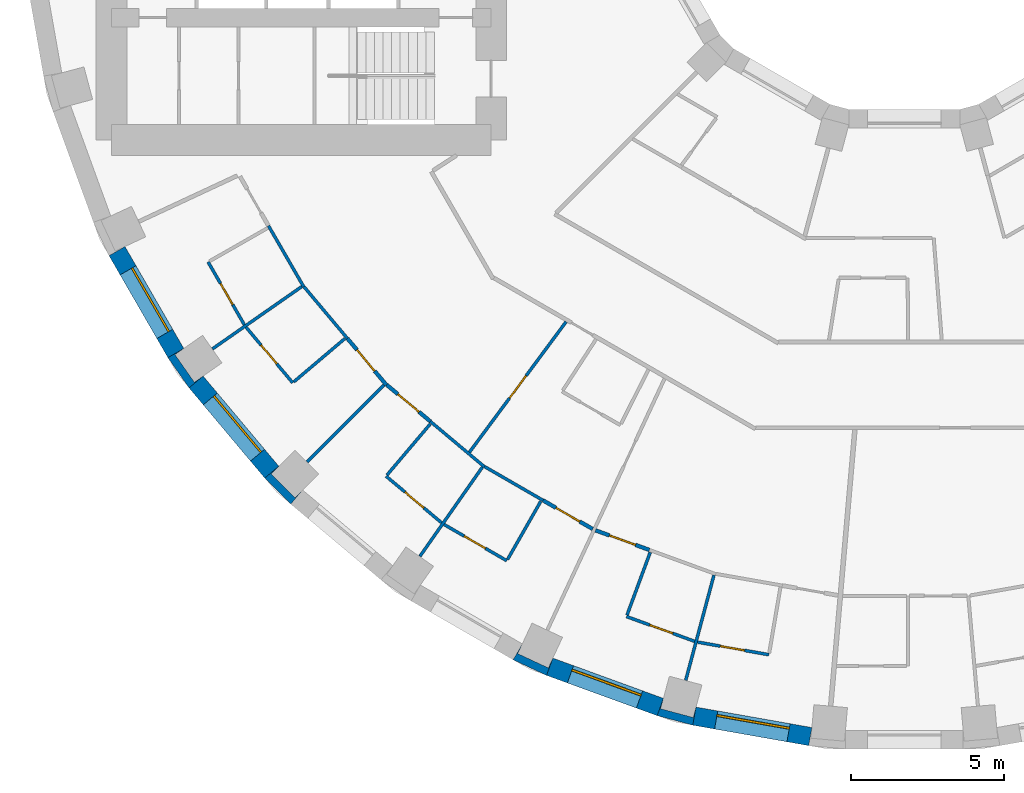
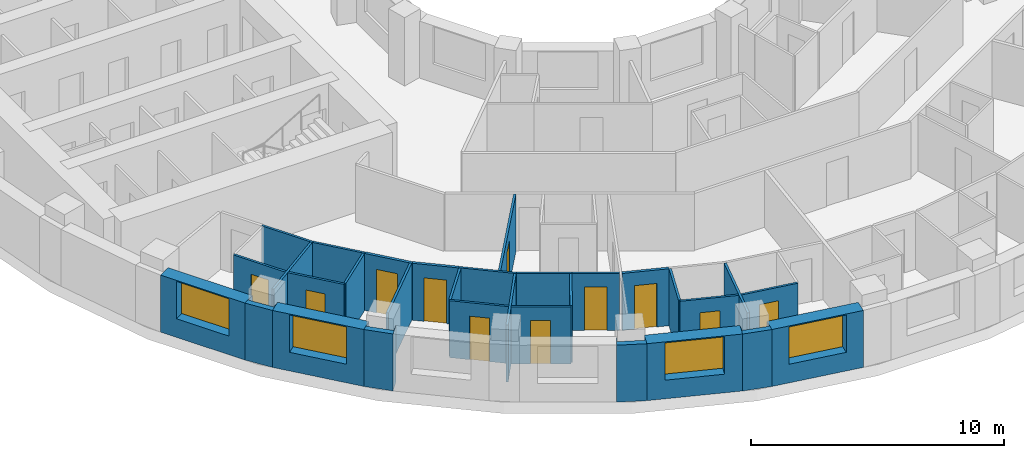
# One storey, part 4 of 15: 31 walls, 11 doors, 4 windows, 15 openings.
"""IFC4 building model written with IfcOpenShell, lengths in metres."""

from ifc_helpers import new_model, si_unit, direction, frame, frame_2d, origin, place, context, subcontext, project, spatial, polyline, rectangle, outline, extrude, material, layer, layer_set, type_object, element, fill, save


model = new_model("IFC4")

# Units and contexts
model_context = context("Model", 3, precision=1e-05, world=origin(), true_north=direction((0.0, 1.0)))
body_context = subcontext(model_context, "Body", "Model", "MODEL_VIEW")
ifc_project = project(units=[si_unit("LENGTHUNIT", "METRE"), si_unit("AREAUNIT", "SQUARE_METRE"), si_unit("VOLUMEUNIT", "CUBIC_METRE"), si_unit("PLANEANGLEUNIT", "RADIAN"), si_unit("MASSUNIT", "GRAM", prefix="KILO")], contexts=[model_context])

# Site, building, storey
site_placement = place(None, origin())
site = spatial("IfcSite", under=ifc_project, at=site_placement, CompositionType="ELEMENT")
building_placement = place(site_placement, origin())
building = spatial("IfcBuilding", under=site, at=building_placement, Name="Saqina Gate Tower", CompositionType="ELEMENT")
storey_placement = place(building_placement, frame((0.0, 0.0, 39.5)))
storey = spatial("IfcBuildingStorey", under=building, at=storey_placement, Name="L10", CompositionType="ELEMENT", Elevation=39.5)

# Walls
ifc_material_1 = material(Name="Brick masonry (red)", Category="masonry")
wall_type_1 = type_object("IfcWallType", Name="BRICK PIER COPING RED", PredefinedType="SOLIDWALL", material=ifc_material_1)
wall_1_placement = place(storey_placement, origin())
element("IfcWall", 1, at=wall_1_placement, inside=storey, type_object=wall_type_1, Name="Pier cap L10 column 22", PredefinedType="SOLIDWALL", context=body_context, shape_type="SweptSolid", body=[
    extrude(outline(polyline([(-24.0576171875, -16.110107421875), (-23.36669921875, -17.096923828125), (-22.9072265625, -16.711181640625), (-23.194091796875, -16.912109375), (-23.8251953125, -16.010986328125), (-23.5380859375, -15.81005859375), (-24.0576171875, -16.110107421875)])), origin(), (0.0, 0.0, 1.0), 2.75),
])
wall_2_placement = place(storey_placement, origin())
element("IfcWall", 2, at=wall_2_placement, inside=storey, type_object=wall_type_1, Name="Pier cap L10 column 23", PredefinedType="SOLIDWALL", context=body_context, shape_type="SweptSolid", body=[
    extrude(outline(polyline([(-20.04296875, -20.894775390625), (-19.6572265625, -20.43505859375), (-19.905029296875, -20.682861328125), (-20.682861328125, -19.905029296875), (-20.43505859375, -19.6572265625), (-20.894775390625, -20.04296875), (-20.04296875, -20.894775390625)])), origin(), (0.0, 0.0, 1.0), 2.75),
])
wall_3_placement = place(storey_placement, origin())
element("IfcWall", 3, at=wall_3_placement, inside=storey, type_object=wall_type_1, Name="Pier cap L10 column 25", PredefinedType="SOLIDWALL", context=body_context, shape_type="SweptSolid", body=[
    extrude(outline(polyline([(-11.687744140625, -26.48974609375), (-11.482666015625, -25.92578125), (-11.630615234375, -26.243408203125), (-12.627685546875, -25.778564453125), (-12.4794921875, -25.4609375), (-12.779541015625, -25.980712890625), (-11.687744140625, -26.48974609375)])), origin(), (0.0, 0.0, 1.0), 2.75),
])
wall_4_placement = place(storey_placement, origin())
element("IfcWall", 4, at=wall_4_placement, inside=storey, type_object=wall_type_1, Name="Pier cap L10 column 26", PredefinedType="SOLIDWALL", context=body_context, shape_type="SweptSolid", body=[
    extrude(outline(polyline([(-6.910400390625, -28.11669921875), (-6.80615234375, -27.52587890625), (-6.896728515625, -27.864501953125), (-7.95947265625, -27.57958984375), (-7.86865234375, -27.2412109375), (-8.073974609375, -27.80517578125), (-6.910400390625, -28.11669921875)])), origin(), (0.0, 0.0, 1.0), 2.75),
])

# Wall, opening, window
ifc_material_2 = material(Name="Brick masonry (red)", Category="masonry")
ifc_layer_1 = layer(ifc_material_2, 0.60009765625)
ifc_layer_set_1 = layer_set([ifc_layer_1], Name="FW-BRICK-RED")
wall_type_2 = type_object("IfcWallType", Name="FW-BRICK-RED", PredefinedType="SOLIDWALL", material=ifc_layer_set_1)
wall_5_placement = place(storey_placement, frame((-25.720703125, -12.629638671875, 0.0), z_axis=(0.0, 0.0, 1.0), x_axis=(0.499989888488, -0.86603124159, 0.0)))
wall_5 = element("IfcWall", 5, at=wall_5_placement, inside=storey, type_object=wall_type_2, Name="Facade wall L10 facet 21", PredefinedType="SOLIDWALL", context=body_context, shape_type="SweptSolid", body=[
    extrude(rectangle(XDim=3.845703125, YDim=0.60009765625, at=frame_2d((1.9228515625, 0.0))), origin(), (0.0, 0.0, 1.0), 2.75),
])
opening_1_placement = place(wall_5_placement, frame((0.722900390625, 0.0, 0.89990234375)))
opening_1 = element("IfcOpeningElement", 6, at=opening_1_placement, cuts=wall_5, Name="Opening G02-W14", PredefinedType="OPENING", context=body_context, shape_type="SweptSolid", body=[
    extrude(rectangle(XDim=2.39990234375, YDim=1.800048828125, at=frame_2d((1.199951171875, 0.89990234375))), frame((0.0, 0.31201171875, 0.0), z_axis=(0.0, -1.0, 0.0), x_axis=(1.0, 0.0, 0.0)), (0.0, 0.0, 1.0), 0.6240234375),
])
ifc_material_3 = material(Name="Aluminium glazing", Category="aluminium")
window_type = type_object("IfcWindowType", Name="WN-A", PartitioningType="SINGLE_PANEL", PredefinedType="WINDOW", material=ifc_material_3)
window_1_placement = place(opening_1_placement, origin())
window_1 = element("IfcWindow", 7, at=window_1_placement, inside=storey, type_object=window_type, Name="Window L10 facet 21", OverallHeight=1.800048828125, OverallWidth=2.39990234375, PartitioningType="SINGLE_PANEL", PredefinedType="WINDOW", context=body_context, shape_type="SweptSolid", body=[
    extrude(rectangle(XDim=2.39990234375, YDim=1.800048828125, at=frame_2d((1.199951171875, 0.89990234375))), frame((0.0, 0.179931640625, 0.0), z_axis=(0.0, -1.0, 0.0), x_axis=(1.0, 0.0, 0.0)), (0.0, 0.0, 1.0), 0.06005859375),
])
fill(opening_1, window_1)

wall_6_placement = place(storey_placement, frame((-23.136962890625, -16.904052734375, 0.0), z_axis=(0.0, 0.0, 1.0), x_axis=(0.642809392687, -0.766026164483, 0.0)))
wall_6 = element("IfcWall", 8, at=wall_6_placement, inside=storey, type_object=wall_type_2, Name="Facade wall L10 facet 22", PredefinedType="SOLIDWALL", context=body_context, shape_type="SweptSolid", body=[
    extrude(rectangle(XDim=3.845947265625, YDim=0.60009765625, at=frame_2d((1.9228515625, 0.0))), origin(), (0.0, 0.0, 1.0), 2.75),
])
opening_2_placement = place(wall_6_placement, frame((0.722900390625, 0.0, 0.89990234375)))
opening_2 = element("IfcOpeningElement", 9, at=opening_2_placement, cuts=wall_6, Name="Opening G02-W15", PredefinedType="OPENING", context=body_context, shape_type="SweptSolid", body=[
    extrude(rectangle(XDim=2.39990234375, YDim=1.800048828125, at=frame_2d((1.199951171875, 0.89990234375))), frame((0.0, 0.31201171875, 0.0), z_axis=(0.0, -1.0, 0.0), x_axis=(1.0, 0.0, 0.0)), (0.0, 0.0, 1.0), 0.6240234375),
])
window_2_placement = place(opening_2_placement, origin())
window_2 = element("IfcWindow", 10, at=window_2_placement, inside=storey, type_object=window_type, Name="Window L10 facet 22", OverallHeight=1.800048828125, OverallWidth=2.39990234375, PartitioningType="SINGLE_PANEL", PredefinedType="WINDOW", context=body_context, shape_type="SweptSolid", body=[
    extrude(rectangle(XDim=2.39990234375, YDim=1.800048828125, at=frame_2d((1.199951171875, 0.89990234375))), frame((0.0, 0.179931640625, 0.0), z_axis=(0.0, -1.0, 0.0), x_axis=(1.0, 0.0, 0.0)), (0.0, 0.0, 1.0), 0.06005859375),
])
fill(opening_2, window_2)

wall_7_placement = place(storey_placement, frame((-11.585205078125, -26.207763671875, 0.0), z_axis=(0.0, 0.0, 1.0), x_axis=(0.939689588564, -0.342028474173, 0.0)))
wall_7 = element("IfcWall", 11, at=wall_7_placement, inside=storey, type_object=wall_type_2, Name="Facade wall L10 facet 25", PredefinedType="SOLIDWALL", context=body_context, shape_type="SweptSolid", body=[
    extrude(rectangle(XDim=3.845947265625, YDim=0.60009765625, at=frame_2d((1.9228515625, 0.0))), origin(), (0.0, 0.0, 1.0), 2.75),
])
opening_3_placement = place(wall_7_placement, frame((0.722900390625, 0.0, 0.89990234375)))
opening_3 = element("IfcOpeningElement", 12, at=opening_3_placement, cuts=wall_7, Name="Opening G02-W18", PredefinedType="OPENING", context=body_context, shape_type="SweptSolid", body=[
    extrude(rectangle(XDim=2.39990234375, YDim=1.800048828125, at=frame_2d((1.199951171875, 0.89990234375))), frame((0.0, 0.31201171875, 0.0), z_axis=(0.0, -1.0, 0.0), x_axis=(1.0, 0.0, 0.0)), (0.0, 0.0, 1.0), 0.6240234375),
])
window_3_placement = place(opening_3_placement, origin())
window_3 = element("IfcWindow", 13, at=window_3_placement, inside=storey, type_object=window_type, Name="Window L10 facet 25", OverallHeight=1.800048828125, OverallWidth=2.39990234375, PartitioningType="SINGLE_PANEL", PredefinedType="WINDOW", context=body_context, shape_type="SweptSolid", body=[
    extrude(rectangle(XDim=2.39990234375, YDim=1.800048828125, at=frame_2d((1.199951171875, 0.89990234375))), frame((0.0, 0.179931640625, 0.0), z_axis=(0.0, -1.0, 0.0), x_axis=(1.0, 0.0, 0.0)), (0.0, 0.0, 1.0), 0.06005859375),
])
fill(opening_3, window_3)

wall_8_placement = place(storey_placement, frame((-6.858154296875, -27.8212890625, 0.0), z_axis=(0.0, 0.0, 1.0), x_axis=(0.984800809218, -0.173687553279, 0.0)))
wall_8 = element("IfcWall", 14, at=wall_8_placement, inside=storey, type_object=wall_type_2, Name="Facade wall L10 facet 26", PredefinedType="SOLIDWALL", context=body_context, shape_type="SweptSolid", body=[
    extrude(rectangle(XDim=3.845703125, YDim=0.60009765625, at=frame_2d((1.9228515625, 0.0))), origin(), (0.0, 0.0, 1.0), 2.75),
])
opening_4_placement = place(wall_8_placement, frame((0.722900390625, 0.0, 0.89990234375)))
opening_4 = element("IfcOpeningElement", 15, at=opening_4_placement, cuts=wall_8, Name="Opening G02-W19", PredefinedType="OPENING", context=body_context, shape_type="SweptSolid", body=[
    extrude(rectangle(XDim=2.39990234375, YDim=1.800048828125, at=frame_2d((1.199951171875, 0.89990234375))), frame((0.0, 0.31201171875, 0.0), z_axis=(0.0, -1.0, 0.0), x_axis=(1.0, 0.0, 0.0)), (0.0, 0.0, 1.0), 0.6240234375),
])
window_4_placement = place(opening_4_placement, origin())
window_4 = element("IfcWindow", 16, at=window_4_placement, inside=storey, type_object=window_type, Name="Window L10 facet 26", OverallHeight=1.800048828125, OverallWidth=2.39990234375, PartitioningType="SINGLE_PANEL", PredefinedType="WINDOW", context=body_context, shape_type="SweptSolid", body=[
    extrude(rectangle(XDim=2.39990234375, YDim=1.800048828125, at=frame_2d((1.199951171875, 0.89990234375))), frame((0.0, 0.179931640625, 0.0), z_axis=(0.0, -1.0, 0.0), x_axis=(1.0, 0.0, 0.0)), (0.0, 0.0, 1.0), 0.06005859375),
])
fill(opening_4, window_4)

# Wall, opening, door
ifc_material_4 = material(Name="Gypsum board on steel studs, 100 mm", Category="steel")
ifc_layer_2 = layer(ifc_material_4, 0.10009765625)
ifc_layer_set_2 = layer_set([ifc_layer_2], Name="PARTITION 100")
wall_type_3 = type_object("IfcWallType", Name="PARTITION 100", PredefinedType="PARTITIONING", material=ifc_layer_set_2)
wall_9_placement = place(storey_placement, frame((-22.743896484375, -12.985107421875, 0.0), z_axis=(0.0, 0.0, 1.0), x_axis=(0.499987246797, -0.866032766724, 0.0)))
wall_9 = element("IfcWall", 17, at=wall_9_placement, inside=storey, type_object=wall_type_3, Name="PARTITION PW3-23", PredefinedType="PARTITIONING", context=body_context, shape_type="SweptSolid", body=[
    extrude(rectangle(XDim=2.36767578125, YDim=0.10009765625, at=frame_2d((1.183837890625, 0.0))), origin(), (0.0, 0.0, 1.0), 2.75),
])
opening_5_placement = place(wall_9_placement, frame((0.80908203125, 0.0, 0.0)))
opening_5 = element("IfcOpeningElement", 18, at=opening_5_placement, cuts=wall_9, Name="Opening G02-D33", PredefinedType="OPENING", context=body_context, shape_type="SweptSolid", body=[
    extrude(rectangle(XDim=0.800048828125, YDim=2.10009765625, at=frame_2d((0.39990234375, 1.050048828125))), frame((0.0, 0.06201171875, 0.0), z_axis=(0.0, -1.0, 0.0), x_axis=(1.0, 0.0, 0.0)), (0.0, 0.0, 1.0), 0.1240234375),
])
ifc_material_5 = material(Name="Timber door leaf, 800 mm", Category="wood")
door_type_1 = type_object("IfcDoorType", Name="DOOR 800 TIMBER", OperationType="SINGLE_SWING_LEFT", PredefinedType="DOOR", material=ifc_material_5)
door_1_placement = place(opening_5_placement, frame((0.800048828125, 0.0, 0.0), z_axis=(0.0, 0.0, 1.0), x_axis=(-1.0, 0.0, 0.0)))
door_1 = element("IfcDoor", 19, at=door_1_placement, inside=storey, type_object=door_type_1, Name="DOOR G02-D33", OperationType="SINGLE_SWING_LEFT", OverallHeight=2.10009765625, OverallWidth=0.800048828125, PredefinedType="DOOR", context=body_context, shape_type="SweptSolid", body=[
    extrude(rectangle(XDim=0.800048828125, YDim=2.10009765625, at=frame_2d((0.39990234375, 1.050048828125))), frame((0.0, 0.02490234375, 0.0), z_axis=(0.0, -1.0, 0.0), x_axis=(1.0, 0.0, 0.0)), (0.0, 0.0, 1.0), 0.050048828125),
])
fill(opening_5, door_1)

# Wall
wall_10_placement = place(storey_placement, frame((-20.77197265625, -11.8017578125, 0.0), z_axis=(0.0, 0.0, 1.0), x_axis=(0.500055369823, -0.865993433642, 0.0)))
element("IfcWall", 20, at=wall_10_placement, inside=storey, type_object=wall_type_3, Name="PARTITION PW3-24", PredefinedType="PARTITIONING", context=body_context, shape_type="SweptSolid", body=[
    extrude(rectangle(XDim=2.306396484375, YDim=0.10009765625, at=frame_2d((1.1533203125, 0.0))), origin(), (0.0, 0.0, 1.0), 2.75),
])

# Wall, opening, door
wall_11_placement = place(storey_placement, frame((-21.5029296875, -15.1171875, 0.0), z_axis=(0.0, 0.0, 1.0), x_axis=(0.642807507344, -0.766027746561, 0.0)))
wall_11 = element("IfcWall", 21, at=wall_11_placement, inside=storey, type_object=wall_type_3, Name="PARTITION PW3-30", PredefinedType="PARTITIONING", context=body_context, shape_type="SweptSolid", body=[
    extrude(rectangle(XDim=2.36767578125, YDim=0.10009765625, at=frame_2d((1.183837890625, 0.0))), origin(), (0.0, 0.0, 1.0), 2.75),
])
opening_6_placement = place(wall_11_placement, frame((0.7587890625, 0.0, 0.0)))
opening_6 = element("IfcOpeningElement", 22, at=opening_6_placement, cuts=wall_11, Name="Opening G02-D34", PredefinedType="OPENING", context=body_context, shape_type="SweptSolid", body=[
    extrude(rectangle(XDim=0.800048828125, YDim=2.10009765625, at=frame_2d((0.39990234375, 1.050048828125))), frame((0.0, 0.06201171875, 0.0), z_axis=(0.0, -1.0, 0.0), x_axis=(1.0, 0.0, 0.0)), (0.0, 0.0, 1.0), 0.1240234375),
])
door_2_placement = place(opening_6_placement, frame((0.800048828125, 0.0, 0.0), z_axis=(0.0, 0.0, 1.0), x_axis=(-1.0, 0.0, 0.0)))
door_2 = element("IfcDoor", 23, at=door_2_placement, inside=storey, type_object=door_type_1, Name="DOOR G02-D34", OperationType="SINGLE_SWING_RIGHT", OverallHeight=2.10009765625, OverallWidth=0.800048828125, PredefinedType="DOOR", context=body_context, shape_type="SweptSolid", body=[
    extrude(rectangle(XDim=0.800048828125, YDim=2.10009765625, at=frame_2d((0.39990234375, 1.050048828125))), frame((0.0, 0.02490234375, 0.0), z_axis=(0.0, -1.0, 0.0), x_axis=(1.0, 0.0, 0.0)), (0.0, 0.0, 1.0), 0.050048828125),
])
fill(opening_6, door_2)

# Wall
wall_12_placement = place(storey_placement, frame((-19.61181640625, -13.793212890625, 0.0), z_axis=(0.0, 0.0, 1.0), x_axis=(0.642989550085, -0.765874949637, 0.0)))
element("IfcWall", 24, at=wall_12_placement, inside=storey, type_object=wall_type_3, Name="PARTITION PW3-31", PredefinedType="PARTITIONING", context=body_context, shape_type="SweptSolid", body=[
    extrude(rectangle(XDim=2.205322265625, YDim=0.10009765625, at=frame_2d((1.1025390625, 0.0))), origin(), (0.0, 0.0, 1.0), 2.75),
])

# Wall, opening, door
wall_13_placement = place(storey_placement, frame((-16.930908203125, -19.98095703125, 0.0), z_axis=(0.0, 0.0, 1.0), x_axis=(0.766027746561, -0.642807507344, 0.0)))
wall_13 = element("IfcWall", 25, at=wall_13_placement, inside=storey, type_object=wall_type_3, Name="PARTITION PW3-36", PredefinedType="PARTITIONING", context=body_context, shape_type="SweptSolid", body=[
    extrude(rectangle(XDim=2.36767578125, YDim=0.10009765625, at=frame_2d((1.183837890625, 0.0))), origin(), (0.0, 0.0, 1.0), 2.75),
])
opening_7_placement = place(wall_13_placement, frame((0.808837890625, 0.0, 0.0)))
opening_7 = element("IfcOpeningElement", 26, at=opening_7_placement, cuts=wall_13, Name="Opening G02-D37", PredefinedType="OPENING", context=body_context, shape_type="SweptSolid", body=[
    extrude(rectangle(XDim=0.800048828125, YDim=2.10009765625, at=frame_2d((0.39990234375, 1.050048828125))), frame((0.0, 0.06201171875, 0.0), z_axis=(0.0, -1.0, 0.0), x_axis=(1.0, 0.0, 0.0)), (0.0, 0.0, 1.0), 0.1240234375),
])
door_3_placement = place(opening_7_placement, frame((0.800048828125, 0.0, 0.0), z_axis=(0.0, 0.0, 1.0), x_axis=(-1.0, 0.0, 0.0)))
door_3 = element("IfcDoor", 27, at=door_3_placement, inside=storey, type_object=door_type_1, Name="DOOR G02-D37", OperationType="SINGLE_SWING_LEFT", OverallHeight=2.10009765625, OverallWidth=0.800048828125, PredefinedType="DOOR", context=body_context, shape_type="SweptSolid", body=[
    extrude(rectangle(XDim=0.800048828125, YDim=2.10009765625, at=frame_2d((0.39990234375, 1.050048828125))), frame((0.0, 0.02490234375, 0.0), z_axis=(0.0, -1.0, 0.0), x_axis=(1.0, 0.0, 0.0)), (0.0, 0.0, 1.0), 0.050048828125),
])
fill(opening_7, door_3)

# Wall
wall_14_placement = place(storey_placement, frame((-15.482177734375, -18.19384765625, 0.0), z_axis=(0.0, 0.0, 1.0), x_axis=(0.765838323525, -0.643033173499, 0.0)))
element("IfcWall", 28, at=wall_14_placement, inside=storey, type_object=wall_type_3, Name="PARTITION PW3-37", PredefinedType="PARTITIONING", context=body_context, shape_type="SweptSolid", body=[
    extrude(rectangle(XDim=2.30615234375, YDim=0.10009765625, at=frame_2d((1.153076171875, 0.0))), origin(), (0.0, 0.0, 1.0), 2.75),
])

# Wall, opening, door
wall_15_placement = place(storey_placement, frame((-15.03564453125, -21.56005859375, 0.0), z_axis=(0.0, 0.0, 1.0), x_axis=(0.866032766724, -0.499987246797, 0.0)))
wall_15 = element("IfcWall", 29, at=wall_15_placement, inside=storey, type_object=wall_type_3, Name="PARTITION PW3-40", PredefinedType="PARTITIONING", context=body_context, shape_type="SweptSolid", body=[
    extrude(rectangle(XDim=2.36767578125, YDim=0.10009765625, at=frame_2d((1.183837890625, 0.0))), origin(), (0.0, 0.0, 1.0), 2.75),
])
opening_8_placement = place(wall_15_placement, frame((0.759033203125, 0.0, 0.0)))
opening_8 = element("IfcOpeningElement", 30, at=opening_8_placement, cuts=wall_15, Name="Opening G02-D41", PredefinedType="OPENING", context=body_context, shape_type="SweptSolid", body=[
    extrude(rectangle(XDim=0.800048828125, YDim=2.10009765625, at=frame_2d((0.39990234375, 1.050048828125))), frame((0.0, 0.06201171875, 0.0), z_axis=(0.0, -1.0, 0.0), x_axis=(1.0, 0.0, 0.0)), (0.0, 0.0, 1.0), 0.1240234375),
])
door_4_placement = place(opening_8_placement, frame((0.800048828125, 0.0, 0.0), z_axis=(0.0, 0.0, 1.0), x_axis=(-1.0, 0.0, 0.0)))
door_4 = element("IfcDoor", 31, at=door_4_placement, inside=storey, type_object=door_type_1, Name="DOOR G02-D41", OperationType="SINGLE_SWING_RIGHT", OverallHeight=2.10009765625, OverallWidth=0.800048828125, PredefinedType="DOOR", context=body_context, shape_type="SweptSolid", body=[
    extrude(rectangle(XDim=0.800048828125, YDim=2.10009765625, at=frame_2d((0.39990234375, 1.050048828125))), frame((0.0, 0.02490234375, 0.0), z_axis=(0.0, -1.0, 0.0), x_axis=(1.0, 0.0, 0.0)), (0.0, 0.0, 1.0), 0.050048828125),
])
fill(opening_8, door_4)

# Wall
wall_16_placement = place(storey_placement, frame((-13.711669921875, -19.6689453125, 0.0), z_axis=(0.0, 0.0, 1.0), x_axis=(0.865958826185, -0.500115298058, 0.0)))
element("IfcWall", 32, at=wall_16_placement, inside=storey, type_object=wall_type_3, Name="PARTITION PW3-41", PredefinedType="PARTITIONING", context=body_context, shape_type="SweptSolid", body=[
    extrude(rectangle(XDim=2.20556640625, YDim=0.10009765625, at=frame_2d((1.102783203125, 0.0))), origin(), (0.0, 0.0, 1.0), 2.75),
])

# Wall, opening, door
wall_17_placement = place(storey_placement, frame((-9.075927734375, -24.56689453125, 0.0), z_axis=(0.0, 0.0, 1.0), x_axis=(0.939654860842, -0.342123870106, 0.0)))
wall_17 = element("IfcWall", 33, at=wall_17_placement, inside=storey, type_object=wall_type_3, Name="PARTITION PW3-49", PredefinedType="PARTITIONING", context=body_context, shape_type="SweptSolid", body=[
    extrude(rectangle(XDim=2.36767578125, YDim=0.10009765625, at=frame_2d((1.183837890625, 0.0))), origin(), (0.0, 0.0, 1.0), 2.75),
])
opening_9_placement = place(wall_17_placement, frame((0.808837890625, 0.0, 0.0)))
opening_9 = element("IfcOpeningElement", 34, at=opening_9_placement, cuts=wall_17, Name="Opening G02-D47", PredefinedType="OPENING", context=body_context, shape_type="SweptSolid", body=[
    extrude(rectangle(XDim=0.800048828125, YDim=2.10009765625, at=frame_2d((0.39990234375, 1.050048828125))), frame((0.0, 0.06201171875, 0.0), z_axis=(0.0, -1.0, 0.0), x_axis=(1.0, 0.0, 0.0)), (0.0, 0.0, 1.0), 0.1240234375),
])
door_5_placement = place(opening_9_placement, frame((0.800048828125, 0.0, 0.0), z_axis=(0.0, 0.0, 1.0), x_axis=(-1.0, 0.0, 0.0)))
door_5 = element("IfcDoor", 35, at=door_5_placement, inside=storey, type_object=door_type_1, Name="DOOR G02-D47", OperationType="SINGLE_SWING_LEFT", OverallHeight=2.10009765625, OverallWidth=0.800048828125, PredefinedType="DOOR", context=body_context, shape_type="SweptSolid", body=[
    extrude(rectangle(XDim=0.800048828125, YDim=2.10009765625, at=frame_2d((0.39990234375, 1.050048828125))), frame((0.0, 0.02490234375, 0.0), z_axis=(0.0, -1.0, 0.0), x_axis=(1.0, 0.0, 0.0)), (0.0, 0.0, 1.0), 0.050048828125),
])
fill(opening_9, door_5)

wall_18_placement = place(storey_placement, frame((-6.754638671875, -25.402587890625, 0.0), z_axis=(0.0, 0.0, 1.0), x_axis=(0.984788748944, -0.173755920625, 0.0)))
wall_18 = element("IfcWall", 36, at=wall_18_placement, inside=storey, type_object=wall_type_3, Name="PARTITION PW3-53", PredefinedType="PARTITIONING", context=body_context, shape_type="SweptSolid", body=[
    extrude(rectangle(XDim=2.36767578125, YDim=0.10009765625, at=frame_2d((1.183837890625, 0.0))), origin(), (0.0, 0.0, 1.0), 2.75),
])
opening_10_placement = place(wall_18_placement, frame((0.7587890625, 0.0, 0.0)))
opening_10 = element("IfcOpeningElement", 37, at=opening_10_placement, cuts=wall_18, Name="Opening G02-D48", PredefinedType="OPENING", context=body_context, shape_type="SweptSolid", body=[
    extrude(rectangle(XDim=0.800048828125, YDim=2.10009765625, at=frame_2d((0.39990234375, 1.050048828125))), frame((0.0, 0.06201171875, 0.0), z_axis=(0.0, -1.0, 0.0), x_axis=(1.0, 0.0, 0.0)), (0.0, 0.0, 1.0), 0.1240234375),
])
door_6_placement = place(opening_10_placement, frame((0.800048828125, 0.0, 0.0), z_axis=(0.0, 0.0, 1.0), x_axis=(-1.0, 0.0, 0.0)))
door_6 = element("IfcDoor", 38, at=door_6_placement, inside=storey, type_object=door_type_1, Name="DOOR G02-D48", OperationType="SINGLE_SWING_RIGHT", OverallHeight=2.10009765625, OverallWidth=0.800048828125, PredefinedType="DOOR", context=body_context, shape_type="SweptSolid", body=[
    extrude(rectangle(XDim=0.800048828125, YDim=2.10009765625, at=frame_2d((0.39990234375, 1.050048828125))), frame((0.0, 0.02490234375, 0.0), z_axis=(0.0, -1.0, 0.0), x_axis=(1.0, 0.0, 0.0)), (0.0, 0.0, 1.0), 0.050048828125),
])
fill(opening_10, door_6)

# Walls
wall_19_placement = place(storey_placement, frame((-22.601806640625, -15.822998046875, 0.0), z_axis=(0.0, 0.0, 1.0), x_axis=(0.820194321254, 0.57208502461, 0.0)))
element("IfcWall", 39, at=wall_19_placement, inside=storey, type_object=wall_type_3, Name="PARTITION PW3-82", PredefinedType="PARTITIONING", context=body_context, shape_type="SweptSolid", body=[
    extrude(rectangle(XDim=3.55908203125, YDim=0.10009765625, at=frame_2d((1.779541015625, 0.0))), origin(), (0.0, 0.0, 1.0), 2.75),
])
wall_20_placement = place(storey_placement, frame((-19.94287109375, -16.898681640625, 0.0), z_axis=(0.0, 0.0, 1.0), x_axis=(0.762954369322, 0.646452341887, 0.0)))
element("IfcWall", 40, at=wall_20_placement, inside=storey, type_object=wall_type_3, Name="PARTITION PW3-86", PredefinedType="PARTITIONING", context=body_context, shape_type="SweptSolid", body=[
    extrude(rectangle(XDim=2.187744140625, YDim=0.10009765625, at=frame_2d((1.09375, 0.0))), origin(), (0.0, 0.0, 1.0), 2.75),
])
wall_21_placement = place(storey_placement, frame((-19.509033203125, -19.509033203125, 0.0), z_axis=(0.0, 0.0, 1.0), x_axis=(0.707106781187, 0.707106781187, 0.0)))
element("IfcWall", 41, at=wall_21_placement, inside=storey, type_object=wall_type_3, Name="PARTITION PW3-89", PredefinedType="PARTITIONING", context=body_context, shape_type="SweptSolid", body=[
    extrude(rectangle(XDim=3.546630859375, YDim=0.10009765625, at=frame_2d((1.7734375, 0.0))), origin(), (0.0, 0.0, 1.0), 2.75),
])
wall_22_placement = place(storey_placement, frame((-16.898681640625, -19.94287109375, 0.0), z_axis=(0.0, 0.0, 1.0), x_axis=(0.646452341887, 0.762954369322, 0.0)))
element("IfcWall", 42, at=wall_22_placement, inside=storey, type_object=wall_type_3, Name="PARTITION PW3-91", PredefinedType="PARTITIONING", context=body_context, shape_type="SweptSolid", body=[
    extrude(rectangle(XDim=2.187744140625, YDim=0.10009765625, at=frame_2d((1.09375, 0.0))), origin(), (0.0, 0.0, 1.0), 2.75),
])

# Wall, opening, door
wall_23_placement = place(storey_placement, frame((-14.20703125, -19.199462890625, 0.0), z_axis=(0.0, 0.0, 1.0), x_axis=(0.595318943931, 0.80348948655, 0.0)))
wall_23 = element("IfcWall", 43, at=wall_23_placement, inside=storey, type_object=wall_type_3, Name="PARTITION PW3-95", PredefinedType="PARTITIONING", context=body_context, shape_type="SweptSolid", body=[
    extrude(rectangle(XDim=5.30224609375, YDim=0.10009765625, at=frame_2d((2.651123046875, 0.0))), origin(), (0.0, 0.0, 1.0), 2.75),
])
opening_11_placement = place(wall_23_placement, frame((2.20703125, 0.0, 0.0)))
opening_11 = element("IfcOpeningElement", 44, at=opening_11_placement, cuts=wall_23, Name="Opening G02-D39", PredefinedType="OPENING", context=body_context, shape_type="SweptSolid", body=[
    extrude(rectangle(XDim=0.89990234375, YDim=2.10009765625, at=frame_2d((0.449951171875, 1.050048828125))), frame((0.0, 0.06201171875, 0.0), z_axis=(0.0, -1.0, 0.0), x_axis=(1.0, 0.0, 0.0)), (0.0, 0.0, 1.0), 0.1240234375),
])
ifc_material_6 = material(Name="Timber door leaf, 900 mm", Category="wood")
door_type_2 = type_object("IfcDoorType", Name="DOOR 900 TIMBER", OperationType="SINGLE_SWING_LEFT", PredefinedType="DOOR", material=ifc_material_6)
door_7_placement = place(opening_11_placement, origin())
door_7 = element("IfcDoor", 45, at=door_7_placement, inside=storey, type_object=door_type_2, Name="DOOR G02-D39", OperationType="SINGLE_SWING_RIGHT", OverallHeight=2.10009765625, OverallWidth=0.89990234375, PredefinedType="DOOR", context=body_context, shape_type="SweptSolid", body=[
    extrude(rectangle(XDim=0.89990234375, YDim=2.10009765625, at=frame_2d((0.449951171875, 1.050048828125))), frame((0.0, 0.02490234375, 0.0), z_axis=(0.0, -1.0, 0.0), x_axis=(1.0, 0.0, 0.0)), (0.0, 0.0, 1.0), 0.050048828125),
])
fill(opening_11, door_7)

# Walls
wall_24_placement = place(storey_placement, frame((-15.824951171875, -22.600341796875, 0.0), z_axis=(0.0, 0.0, 1.0), x_axis=(0.573536002802, 0.819180354678, 0.0)))
element("IfcWall", 46, at=wall_24_placement, inside=storey, type_object=wall_type_3, Name="PARTITION PW3-97", PredefinedType="PARTITIONING", context=body_context, shape_type="SweptSolid", body=[
    extrude(rectangle(XDim=3.55908203125, YDim=0.10009765625, at=frame_2d((1.779541015625, 0.0))), origin(), (0.0, 0.0, 1.0), 2.75),
])
for number, where, z_axis, x_axis, name in (
    (47, (-12.960205078125, -22.70068359375, 0.0), (0.0, 0.0, 1.0), (0.495742176046, 0.86846974322, 0.0), "PARTITION PW3-101"),
    (48, (-9.05859375, -24.52001953125, 0.0), (0.0, 0.0, 1.0), (0.346507080222, 0.93804735667, 0.0), "PARTITION PW3-105"),
):
    element("IfcWall", number, at=place(storey_placement, frame(where, z_axis=z_axis, x_axis=x_axis)), inside=storey, type_object=wall_type_3, Name=name, PredefinedType="PARTITIONING", context=body_context, shape_type="SweptSolid", body=[
        extrude(rectangle(XDim=2.18701171875, YDim=0.10009765625, at=frame_2d((1.093505859375, 0.0))), origin(), (0.0, 0.0, 1.0), 2.75),
    ])
wall_25_placement = place(storey_placement, frame((-7.140869140625, -26.64990234375, 0.0), z_axis=(0.0, 0.0, 1.0), x_axis=(0.259045837699, 0.965865028858, 0.0)))
element("IfcWall", 49, at=wall_25_placement, inside=storey, type_object=wall_type_3, Name="PARTITION PW3-108", PredefinedType="PARTITIONING", context=body_context, shape_type="SweptSolid", body=[
    extrude(rectangle(XDim=3.558837890625, YDim=0.10009765625, at=frame_2d((1.779296875, 0.0))), origin(), (0.0, 0.0, 1.0), 2.75),
])

# Wall, opening, door
ifc_material_7 = material(Name="Gypsum board on steel studs, 125 mm, fire rated", Category="steel")
ifc_layer_3 = layer(ifc_material_7, 0.125)
ifc_layer_set_3 = layer_set([ifc_layer_3], Name="PARTITION EI 30 125")
wall_type_4 = type_object("IfcWallType", Name="PARTITION EI 30 125", PredefinedType="PARTITIONING", material=ifc_layer_set_3)
wall_26_placement = place(storey_placement, frame((-18.19384765625, -15.482421875, 0.0), z_axis=(0.0, 0.0, 1.0), x_axis=(0.642633191675, -0.766173988698, 0.0)))
wall_26 = element("IfcWall", 50, at=wall_26_placement, inside=storey, type_object=wall_type_4, Name="PARTITION PW1-07", PredefinedType="PARTITIONING", context=body_context, shape_type="SweptSolid", body=[
    extrude(rectangle(XDim=1.988037109375, YDim=0.125, at=frame_2d((0.994140625, 0.0))), origin(), (0.0, 0.0, 1.0), 2.75),
])
opening_12_placement = place(wall_26_placement, frame((0.4873046875, 0.0, 0.0)))
opening_12 = element("IfcOpeningElement", 51, at=opening_12_placement, cuts=wall_26, Name="Opening G02-D35", PredefinedType="OPENING", context=body_context, shape_type="SweptSolid", body=[
    extrude(rectangle(XDim=0.89990234375, YDim=2.10009765625, at=frame_2d((0.449951171875, 1.050048828125))), frame((0.0, 0.074462890625, 0.0), z_axis=(0.0, -1.0, 0.0), x_axis=(1.0, 0.0, 0.0)), (0.0, 0.0, 1.0), 0.14892578125),
])
ifc_material_8 = material(Name="Fire door leaf EI 30, 900 mm")
door_type_3 = type_object("IfcDoorType", Name="DOOR 900 EI 30", OperationType="SINGLE_SWING_LEFT", PredefinedType="DOOR", material=ifc_material_8)
door_8_placement = place(opening_12_placement, origin())
door_8 = element("IfcDoor", 52, at=door_8_placement, inside=storey, type_object=door_type_3, Name="DOOR G02-D35", OperationType="SINGLE_SWING_RIGHT", OverallHeight=2.10009765625, OverallWidth=0.89990234375, PredefinedType="DOOR", context=body_context, shape_type="SweptSolid", body=[
    extrude(rectangle(XDim=0.89990234375, YDim=2.10009765625, at=frame_2d((0.449951171875, 1.050048828125))), frame((0.0, 0.02490234375, 0.0), z_axis=(0.0, -1.0, 0.0), x_axis=(1.0, 0.0, 0.0)), (0.0, 0.0, 1.0), 0.050048828125),
])
fill(opening_12, door_8)

wall_27_placement = place(storey_placement, frame((-16.9091796875, -16.9970703125, 0.0), z_axis=(0.0, 0.0, 1.0), x_axis=(0.766154061521, -0.642656948935, 0.0)))
wall_27 = element("IfcWall", 53, at=wall_27_placement, inside=storey, type_object=wall_type_4, Name="PARTITION PW1-12", PredefinedType="PARTITIONING", context=body_context, shape_type="SweptSolid", body=[
    extrude(rectangle(XDim=1.8623046875, YDim=0.125, at=frame_2d((0.93115234375, 0.0))), origin(), (0.0, 0.0, 1.0), 2.75),
])
opening_13_placement = place(wall_27_placement, frame((0.474853515625, 0.0, 0.0)))
opening_13 = element("IfcOpeningElement", 54, at=opening_13_placement, cuts=wall_27, Name="Opening G02-D36", PredefinedType="OPENING", context=body_context, shape_type="SweptSolid", body=[
    extrude(rectangle(XDim=0.89990234375, YDim=2.10009765625, at=frame_2d((0.449951171875, 1.050048828125))), frame((0.0, 0.074462890625, 0.0), z_axis=(0.0, -1.0, 0.0), x_axis=(1.0, 0.0, 0.0)), (0.0, 0.0, 1.0), 0.14892578125),
])
door_9_placement = place(opening_13_placement, origin())
door_9 = element("IfcDoor", 55, at=door_9_placement, inside=storey, type_object=door_type_3, Name="DOOR G02-D36", OperationType="SINGLE_SWING_LEFT", OverallHeight=2.10009765625, OverallWidth=0.89990234375, PredefinedType="DOOR", context=body_context, shape_type="SweptSolid", body=[
    extrude(rectangle(XDim=0.89990234375, YDim=2.10009765625, at=frame_2d((0.449951171875, 1.050048828125))), frame((0.0, 0.02490234375, 0.0), z_axis=(0.0, -1.0, 0.0), x_axis=(1.0, 0.0, 0.0)), (0.0, 0.0, 1.0), 0.050048828125),
])
fill(opening_13, door_9)

wall_28_placement = place(storey_placement, frame((-11.8017578125, -20.77197265625, 0.0), z_axis=(0.0, 0.0, 1.0), x_axis=(0.866103179807, -0.499865263774, 0.0)))
wall_28 = element("IfcWall", 56, at=wall_28_placement, inside=storey, type_object=wall_type_4, Name="PARTITION PW1-15", PredefinedType="PARTITIONING", context=body_context, shape_type="SweptSolid", body=[
    extrude(rectangle(XDim=1.87451171875, YDim=0.125, at=frame_2d((0.937255859375, 0.0))), origin(), (0.0, 0.0, 1.0), 2.75),
])
opening_14_placement = place(wall_28_placement, frame((0.4873046875, 0.0, 0.0)))
opening_14 = element("IfcOpeningElement", 57, at=opening_14_placement, cuts=wall_28, Name="Opening G02-D43", PredefinedType="OPENING", context=body_context, shape_type="SweptSolid", body=[
    extrude(rectangle(XDim=0.89990234375, YDim=2.10009765625, at=frame_2d((0.449951171875, 1.050048828125))), frame((0.0, 0.074462890625, 0.0), z_axis=(0.0, -1.0, 0.0), x_axis=(1.0, 0.0, 0.0)), (0.0, 0.0, 1.0), 0.14892578125),
])
door_10_placement = place(opening_14_placement, origin())
door_10 = element("IfcDoor", 58, at=door_10_placement, inside=storey, type_object=door_type_3, Name="DOOR G02-D43", OperationType="SINGLE_SWING_RIGHT", OverallHeight=2.10009765625, OverallWidth=0.89990234375, PredefinedType="DOOR", context=body_context, shape_type="SweptSolid", body=[
    extrude(rectangle(XDim=0.89990234375, YDim=2.10009765625, at=frame_2d((0.449951171875, 1.050048828125))), frame((0.0, 0.02490234375, 0.0), z_axis=(0.0, -1.0, 0.0), x_axis=(1.0, 0.0, 0.0)), (0.0, 0.0, 1.0), 0.050048828125),
])
fill(opening_14, door_10)

wall_29_placement = place(storey_placement, frame((-10.088134765625, -21.751220703125, 0.0), z_axis=(0.0, 0.0, 1.0), x_axis=(0.939656514106, -0.342119329325, 0.0)))
wall_29 = element("IfcWall", 59, at=wall_29_placement, inside=storey, type_object=wall_type_4, Name="PARTITION PW1-22", PredefinedType="PARTITIONING", context=body_context, shape_type="SweptSolid", body=[
    extrude(rectangle(XDim=1.87548828125, YDim=0.125, at=frame_2d((0.937744140625, 0.0))), origin(), (0.0, 0.0, 1.0), 2.75),
])
opening_15_placement = place(wall_29_placement, frame((0.487548828125, 0.0, 0.0)))
opening_15 = element("IfcOpeningElement", 60, at=opening_15_placement, cuts=wall_29, Name="Opening G02-D46", PredefinedType="OPENING", context=body_context, shape_type="SweptSolid", body=[
    extrude(rectangle(XDim=0.89990234375, YDim=2.10009765625, at=frame_2d((0.449951171875, 1.050048828125))), frame((0.0, 0.074462890625, 0.0), z_axis=(0.0, -1.0, 0.0), x_axis=(1.0, 0.0, 0.0)), (0.0, 0.0, 1.0), 0.14892578125),
])
door_11_placement = place(opening_15_placement, origin())
door_11 = element("IfcDoor", 61, at=door_11_placement, inside=storey, type_object=door_type_3, Name="DOOR G02-D46", OperationType="SINGLE_SWING_LEFT", OverallHeight=2.10009765625, OverallWidth=0.89990234375, PredefinedType="DOOR", context=body_context, shape_type="SweptSolid", body=[
    extrude(rectangle(XDim=0.89990234375, YDim=2.10009765625, at=frame_2d((0.449951171875, 1.050048828125))), frame((0.0, 0.02490234375, 0.0), z_axis=(0.0, -1.0, 0.0), x_axis=(1.0, 0.0, 0.0)), (0.0, 0.0, 1.0), 0.050048828125),
])
fill(opening_15, door_11)

save(model, "model.ifc")
